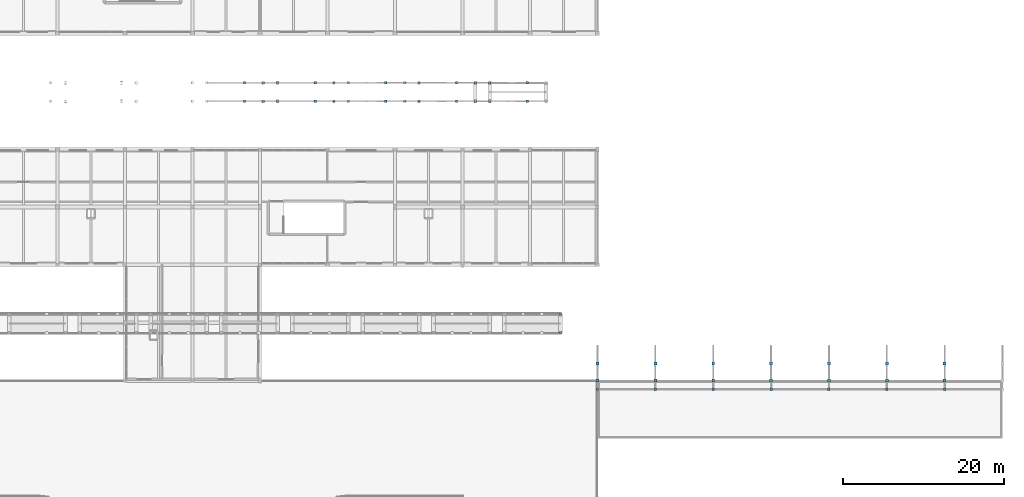
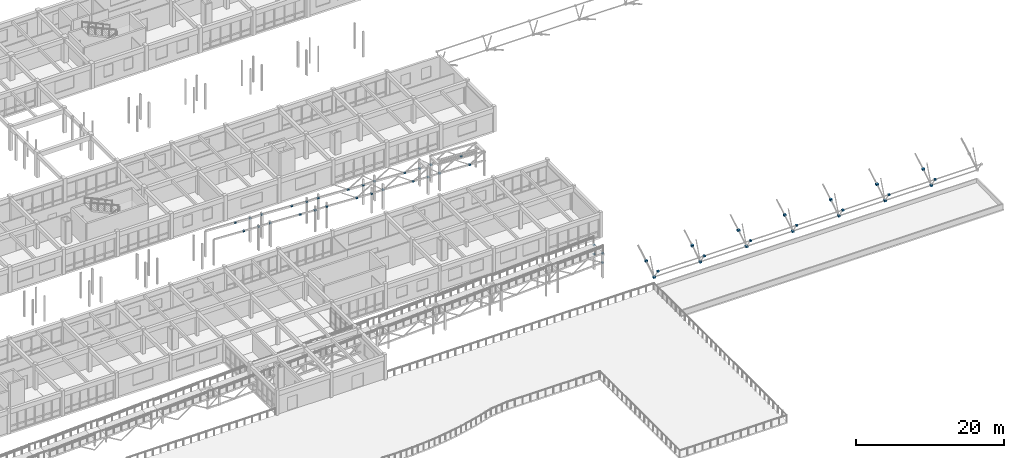
# One storey, part 65 of 90: 51 plates.
"""IFC4 building model written with IfcOpenShell, lengths in metres."""

from ifc_helpers import new_model, si_unit, direction, frame, origin, origin_2d, place, context, subcontext, project, spatial, rectangle, extrude, material, layer, layer_set, type_object, element, save


model = new_model("IFC4")

# Units and contexts
model_context = context("Model", 3, precision=1e-05, world=origin(), true_north=direction((0.0, 1.0)))
body_context = subcontext(model_context, "Body", "Model", "MODEL_VIEW")
ifc_project = project(units=[si_unit("LENGTHUNIT", "METRE"), si_unit("AREAUNIT", "SQUARE_METRE"), si_unit("VOLUMEUNIT", "CUBIC_METRE"), si_unit("PLANEANGLEUNIT", "RADIAN"), si_unit("MASSUNIT", "GRAM", prefix="KILO")], contexts=[model_context])

# Site, building, storey
site_placement = place(None, origin())
site = spatial("IfcSite", under=ifc_project, at=site_placement, CompositionType="ELEMENT")
building_placement = place(site_placement, origin())
building = spatial("IfcBuilding", under=site, at=building_placement, Name="Malvenik Polytechnic", CompositionType="ELEMENT")
storey_placement = place(building_placement, frame((0.0, 0.0, 9.300048828125)))
storey = spatial("IfcBuildingStorey", under=building, at=storey_placement, Name="L02", CompositionType="ELEMENT", Elevation=9.300048828125)

# Plates
ifc_material = material(Name="Steel S355J2H", Category="steel")
ifc_layer_1 = layer(ifc_material, 0.034912109375)
ifc_layer_set_1 = layer_set([ifc_layer_1], Name="Steel S355J2H")
plate_type_1 = type_object("IfcPlateType", Name="STR-PLT-NP-01", PredefinedType="USERDEFINED", material=ifc_layer_set_1)
for number, where, z_axis, x_axis, name in (
    (1, (134.39990234375, 36.0, 1.9599609375), (0.0, 0.0, 1.0), (1.0, 0.0, 0.0), "Space-Frame Bottom Node Plate #1"),
    (2, (134.39990234375, 38.1513671875, 3.31640625), (0.0, 0.0, 1.0), (1.0, 0.0, 0.0), "Space-Frame Bottom Node Plate #3"),
    (3, (141.60009765625, 36.0, 1.9599609375), (0.0, 0.0, 1.0), (1.0, 0.0, 0.0), "Space-Frame Bottom Node Plate #51"),
    (4, (141.60009765625, 38.1513671875, 3.31640625), (0.0, 0.0, 1.0), (1.0, 0.0, 0.0), "Space-Frame Bottom Node Plate #53"),
    (5, (148.800048828125, 36.0, 1.9599609375), (0.0, 0.0, 1.0), (1.0, 0.0, 0.0), "Space-Frame Bottom Node Plate #101"),
    (6, (148.800048828125, 38.1513671875, 3.31640625), (0.0, 0.0, 1.0), (1.0, 0.0, 0.0), "Space-Frame Bottom Node Plate #103"),
    (7, (156.0, 36.0, 1.9599609375), (0.0, 0.0, 1.0), (1.0, 0.0, 0.0), "Space-Frame Bottom Node Plate #151"),
    (8, (156.0, 38.1513671875, 3.31640625), (0.0, 0.0, 1.0), (1.0, 0.0, 0.0), "Space-Frame Bottom Node Plate #153"),
    (9, (163.199951171875, 36.0, 1.9599609375), (0.0, 0.0, 1.0), (1.0, 0.0, 0.0), "Space-Frame Bottom Node Plate #201"),
    (10, (163.199951171875, 38.1513671875, 3.31640625), (0.0, 0.0, 1.0), (1.0, 0.0, 0.0), "Space-Frame Bottom Node Plate #203"),
    (11, (170.39990234375, 36.0, 1.9599609375), (0.0, 0.0, 1.0), (1.0, 0.0, 0.0), "Space-Frame Bottom Node Plate #251"),
    (12, (170.39990234375, 38.1513671875, 3.31640625), (0.0, 0.0, 1.0), (1.0, 0.0, 0.0), "Space-Frame Bottom Node Plate #253"),
    (13, (177.60009765625, 36.0, 1.9599609375), (0.0, 0.0, 1.0), (1.0, 0.0, 0.0), "Space-Frame Bottom Node Plate #301"),
    (14, (177.60009765625, 38.1513671875, 3.31640625), (0.0, 0.0, 1.0), (1.0, 0.0, 0.0), "Space-Frame Bottom Node Plate #303"),
):
    element("IfcPlate", number, at=place(storey_placement, frame(where, z_axis=z_axis, x_axis=x_axis)), inside=storey, type_object=plate_type_1, Name=name, ObjectType="GUSSET PLATE", PredefinedType="USERDEFINED", context=body_context, shape_type="SweptSolid", body=[
        extrude(rectangle(XDim=0.360107421875, YDim=0.360107421875, at=origin_2d()), origin(), (0.0, 0.0, 1.0), 0.280029296875),
    ])
ifc_layer_2 = layer(ifc_material, 0.034912109375)
ifc_layer_set_2 = layer_set([ifc_layer_2], Name="Steel S355J2H")
plate_type_2 = type_object("IfcPlateType", Name="STR-PLT-NP-02", PredefinedType="USERDEFINED", material=ifc_layer_set_2)
for number, where, z_axis, x_axis, name in (
    (15, (134.39990234375, 34.933837890625, 3.58251953125), (0.0, 0.0, 1.0), (1.0, 0.0, 0.0), "Space-Frame Top Node Plate #2"),
    (16, (141.60009765625, 34.933837890625, 3.58251953125), (0.0, 0.0, 1.0), (1.0, 0.0, 0.0), "Space-Frame Top Node Plate #52"),
    (17, (148.800048828125, 34.933837890625, 3.58251953125), (0.0, 0.0, 1.0), (1.0, 0.0, 0.0), "Space-Frame Top Node Plate #102"),
    (18, (156.0, 34.933837890625, 3.58251953125), (0.0, 0.0, 1.0), (1.0, 0.0, 0.0), "Space-Frame Top Node Plate #152"),
    (19, (163.199951171875, 34.933837890625, 3.58251953125), (0.0, 0.0, 1.0), (1.0, 0.0, 0.0), "Space-Frame Top Node Plate #202"),
    (20, (170.39990234375, 34.933837890625, 3.58251953125), (0.0, 0.0, 1.0), (1.0, 0.0, 0.0), "Space-Frame Top Node Plate #252"),
    (21, (177.60009765625, 34.933837890625, 3.58251953125), (0.0, 0.0, 1.0), (1.0, 0.0, 0.0), "Space-Frame Top Node Plate #302"),
):
    element("IfcPlate", number, at=place(storey_placement, frame(where, z_axis=z_axis, x_axis=x_axis)), inside=storey, type_object=plate_type_2, Name=name, ObjectType="GUSSET PLATE", PredefinedType="USERDEFINED", context=body_context, shape_type="SweptSolid", body=[
        extrude(rectangle(XDim=0.300048828125, YDim=0.300048828125, at=origin_2d()), origin(), (0.0, 0.0, 1.0), 0.239990234375),
    ])
ifc_layer_3 = layer(ifc_material, 0.034912109375)
ifc_layer_set_3 = layer_set([ifc_layer_3], Name="Steel S355J2H")
plate_type_3 = type_object("IfcPlateType", Name="STR-PLT-NP-03", PredefinedType="USERDEFINED", material=ifc_layer_set_3)
for number, where, z_axis, x_axis, name in (
    (22, (129.800048828125, 41.949951171875, 3.8701171875), (0.0, 0.0, 1.0), (1.0, 0.0, 0.0), "Warren Joint Node Plate RB-01"),
    (23, (129.800048828125, 41.949951171875, 2.3701171875), (0.0, 0.0, 1.0), (1.0, 0.0, 0.0), "Warren Joint Node Plate RB-01"),
    (24, (129.800048828125, 44.25, 3.8701171875), (0.0, 0.0, 1.0), (1.0, 0.0, 0.0), "Warren Joint Node Plate RB-01"),
    (25, (129.800048828125, 44.25, 2.3701171875), (0.0, 0.0, 1.0), (1.0, 0.0, 0.0), "Warren Joint Node Plate RB-01"),
    (26, (121.0, 70.75, 2.7197265625), (0.0, 0.0, 1.0), (1.0, 0.0, 0.0), "Warren Joint Node Plate RB-02"),
    (27, (119.199951171875, 70.75, 2.7197265625), (0.0, 0.0, 1.0), (1.0, 0.0, 0.0), "Warren Joint Node Plate RB-02"),
    (28, (112.199951171875, 70.75, 3.06982421875), (0.0, 0.0, 1.0), (1.0, 0.0, 0.0), "Warren Joint Node Plate RB-02"),
    (29, (110.39990234375, 70.75, 3.06982421875), (0.0, 0.0, 1.0), (1.0, 0.0, 0.0), "Warren Joint Node Plate RB-02"),
    (30, (103.39990234375, 70.75, 3.419921875), (0.0, 0.0, 1.0), (1.0, 0.0, 0.0), "Warren Joint Node Plate RB-02"),
    (31, (101.60009765625, 70.75, 3.419921875), (0.0, 0.0, 1.0), (1.0, 0.0, 0.0), "Warren Joint Node Plate RB-02"),
    (32, (94.60009765625, 70.75, 3.77001953125), (0.0, 0.0, 1.0), (1.0, 0.0, 0.0), "Warren Joint Node Plate RB-02"),
    (33, (92.800048828125, 70.75, 3.77001953125), (0.0, 0.0, 1.0), (1.0, 0.0, 0.0), "Warren Joint Node Plate RB-02"),
    (34, (125.666748046875, 70.75, 2.48681640625), (0.0, 0.0, 1.0), (1.0, 0.0, 0.0), "Warren Web Node Plate RB-02"),
    (35, (116.86669921875, 70.75, 2.83642578125), (0.0, 0.0, 1.0), (1.0, 0.0, 0.0), "Warren Web Node Plate RB-02"),
    (36, (108.066650390625, 70.75, 3.1865234375), (0.0, 0.0, 1.0), (1.0, 0.0, 0.0), "Warren Web Node Plate RB-02"),
    (37, (99.2666015625, 70.75, 3.53662109375), (0.0, 0.0, 1.0), (1.0, 0.0, 0.0), "Warren Web Node Plate RB-02"),
    (38, (90.466796875, 70.75, 3.88671875), (0.0, 0.0, 1.0), (1.0, 0.0, 0.0), "Warren Web Node Plate RB-02"),
    (39, (121.0, 73.050048828125, 2.7197265625), (0.0, 0.0, 1.0), (1.0, 0.0, 0.0), "Warren Joint Node Plate RB-02"),
    (40, (119.199951171875, 73.050048828125, 2.7197265625), (0.0, 0.0, 1.0), (1.0, 0.0, 0.0), "Warren Joint Node Plate RB-02"),
    (41, (112.199951171875, 73.050048828125, 3.06982421875), (0.0, 0.0, 1.0), (1.0, 0.0, 0.0), "Warren Joint Node Plate RB-02"),
    (42, (110.39990234375, 73.050048828125, 3.06982421875), (0.0, 0.0, 1.0), (1.0, 0.0, 0.0), "Warren Joint Node Plate RB-02"),
    (43, (103.39990234375, 73.050048828125, 3.419921875), (0.0, 0.0, 1.0), (1.0, 0.0, 0.0), "Warren Joint Node Plate RB-02"),
    (44, (101.60009765625, 73.050048828125, 3.419921875), (0.0, 0.0, 1.0), (1.0, 0.0, 0.0), "Warren Joint Node Plate RB-02"),
    (45, (94.60009765625, 73.050048828125, 3.77001953125), (0.0, 0.0, 1.0), (1.0, 0.0, 0.0), "Warren Joint Node Plate RB-02"),
    (46, (92.800048828125, 73.050048828125, 3.77001953125), (0.0, 0.0, 1.0), (1.0, 0.0, 0.0), "Warren Joint Node Plate RB-02"),
    (47, (125.666748046875, 73.050048828125, 2.48681640625), (0.0, 0.0, 1.0), (1.0, 0.0, 0.0), "Warren Web Node Plate RB-02"),
    (48, (116.86669921875, 73.050048828125, 2.83642578125), (0.0, 0.0, 1.0), (1.0, 0.0, 0.0), "Warren Web Node Plate RB-02"),
    (49, (108.066650390625, 73.050048828125, 3.1865234375), (0.0, 0.0, 1.0), (1.0, 0.0, 0.0), "Warren Web Node Plate RB-02"),
    (50, (99.2666015625, 73.050048828125, 3.53662109375), (0.0, 0.0, 1.0), (1.0, 0.0, 0.0), "Warren Web Node Plate RB-02"),
    (51, (90.466796875, 73.050048828125, 3.88671875), (0.0, 0.0, 1.0), (1.0, 0.0, 0.0), "Warren Web Node Plate RB-02"),
):
    element("IfcPlate", number, at=place(storey_placement, frame(where, z_axis=z_axis, x_axis=x_axis)), inside=storey, type_object=plate_type_3, Name=name, ObjectType="GUSSET PLATE", PredefinedType="USERDEFINED", context=body_context, shape_type="SweptSolid", body=[
        extrude(rectangle(XDim=0.280029296875, YDim=0.280029296875, at=origin_2d()), origin(), (0.0, 0.0, 1.0), 0.219970703125),
    ])

save(model, "model.ifc")
